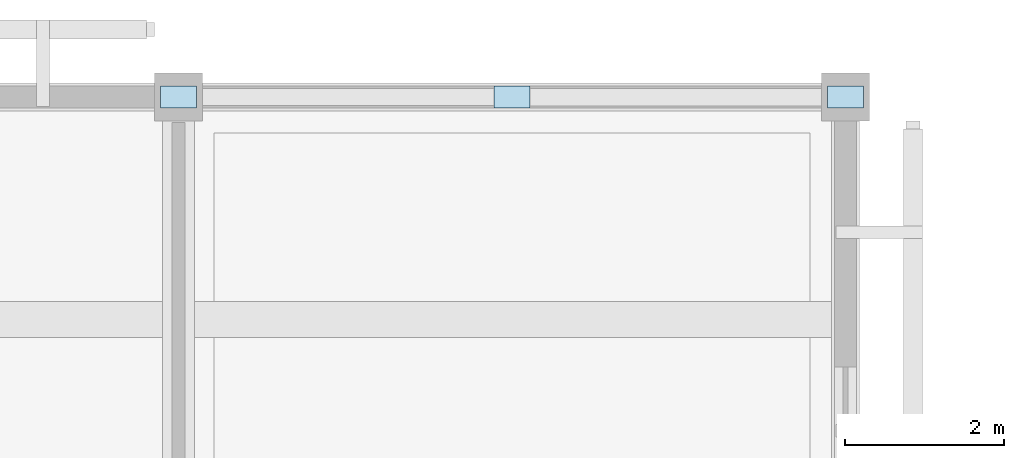
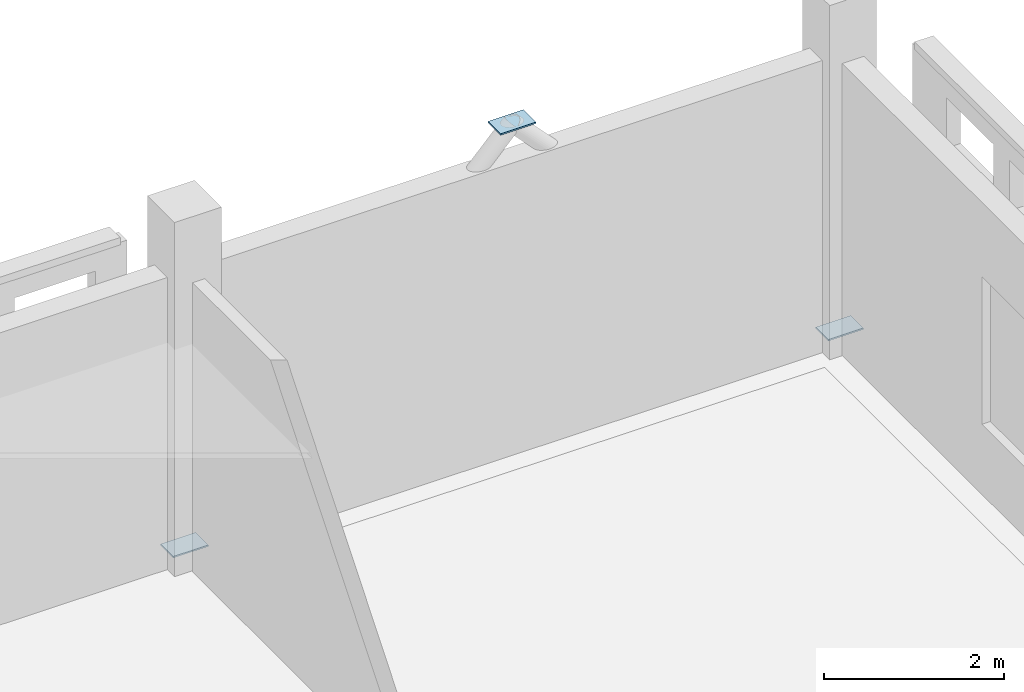
# One storey, part 56 of 129: 3 plates.
"""IFC4 building model written with IfcOpenShell, lengths in metres."""

from ifc_helpers import new_model, si_unit, direction, frame, origin, origin_2d, place, context, subcontext, project, spatial, rectangle, extrude, material, layer, layer_set, type_object, element, save


model = new_model("IFC4")

# Units and contexts
model_context = context("Model", 3, precision=1e-05, world=origin(), true_north=direction((0.0, 1.0)))
body_context = subcontext(model_context, "Body", "Model", "MODEL_VIEW")
ifc_project = project(units=[si_unit("LENGTHUNIT", "METRE"), si_unit("AREAUNIT", "SQUARE_METRE"), si_unit("VOLUMEUNIT", "CUBIC_METRE"), si_unit("PLANEANGLEUNIT", "RADIAN"), si_unit("MASSUNIT", "GRAM", prefix="KILO")], contexts=[model_context])

# Site, building, storey
site_placement = place(None, origin())
site = spatial("IfcSite", under=ifc_project, at=site_placement, CompositionType="ELEMENT")
building_placement = place(site_placement, origin())
building = spatial("IfcBuilding", under=site, at=building_placement, Name="Varnapada Polytechnic", CompositionType="ELEMENT")
storey_placement = place(building_placement, origin())
storey = spatial("IfcBuildingStorey", under=building, at=storey_placement, Name="L00", CompositionType="ELEMENT", Elevation=0.0)

# Plates
ifc_material = material(Name="Steel S355", Category="steel")
ifc_layer = layer(ifc_material, 0.02001953125)
ifc_layer_set = layer_set([ifc_layer], Name="Steel S355")
plate_type = type_object("IfcPlateType", Name="Plate BP-03", PredefinedType="SHEET", material=ifc_layer_set)
for number, where, z_axis, x_axis, name in (
    (1, (130.199951171875, 126.0, 4.389892578125), (0.0, 0.0, 1.0), (1.0, 0.0, 0.0), "L00 chevron brace gusset plate 2"),
    (2, (126.0, 126.0, 0.1298828125), (0.0, 0.0, 1.0), (1.0, 0.0, 0.0), "L00 chevron brace base gusset plate 2L"),
    (3, (134.39990234375, 126.0, 0.1298828125), (0.0, 0.0, 1.0), (1.0, 0.0, 0.0), "L00 chevron brace base gusset plate 2R"),
):
    element("IfcPlate", number, at=place(storey_placement, frame(where, z_axis=z_axis, x_axis=x_axis)), inside=storey, type_object=plate_type, Name=name, PredefinedType="SHEET", context=body_context, shape_type="SweptSolid", body=[
        extrude(rectangle(XDim=0.449951171875, YDim=0.280029296875, at=origin_2d()), origin(), (0.0, 0.0, 1.0), 0.02001953125),
    ])

save(model, "model.ifc")
